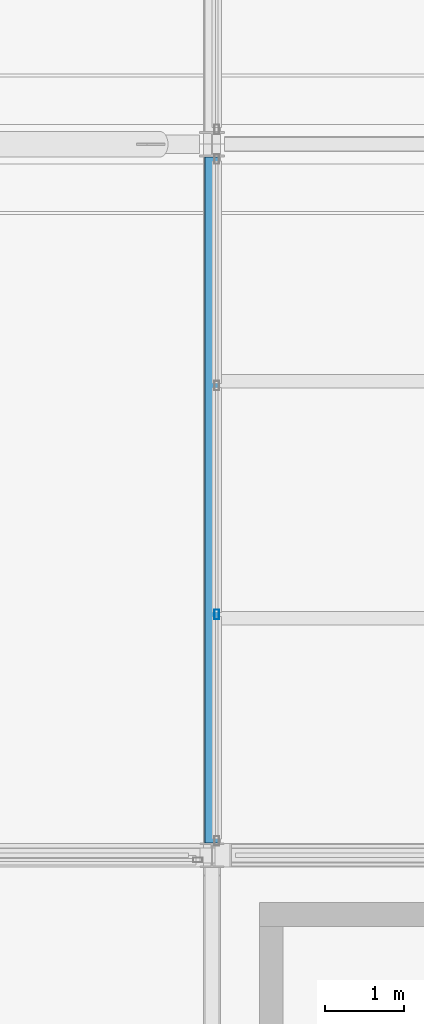
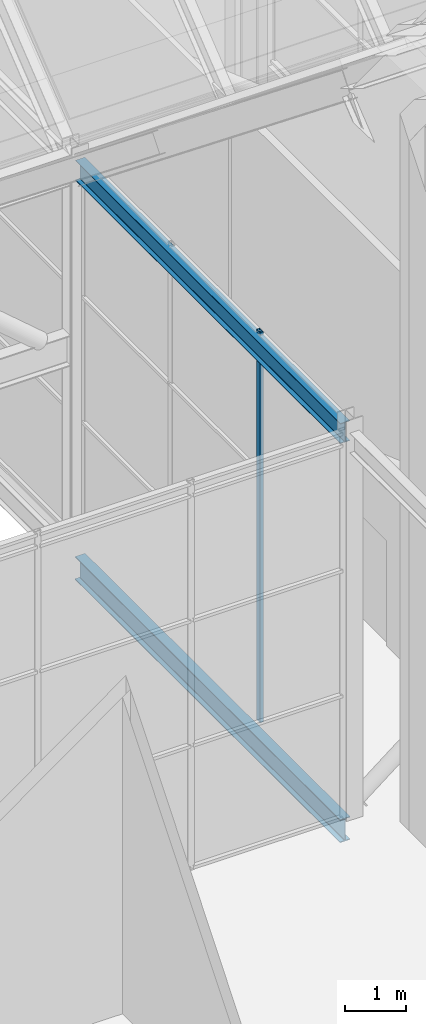
# One storey, part 65 of 144: 2 beams, 1 member, 1 element without a shape of its own.
"""IFC4 building model written with IfcOpenShell, lengths in metres."""

from ifc_helpers import new_model, si_unit, direction, frame, origin, origin_2d, place, context, subcontext, project, spatial, hollow_rectangle, i_section, extrude, material, layer, layer_set, material_profile, profile_set, type_object, element, aggregate, save


model = new_model("IFC4")

# Units and contexts
model_context = context("Model", 3, precision=1e-05, world=origin(), true_north=direction((0.0, 1.0)))
body_context = subcontext(model_context, "Body", "Model", "MODEL_VIEW")
ifc_project = project(units=[si_unit("LENGTHUNIT", "METRE"), si_unit("AREAUNIT", "SQUARE_METRE"), si_unit("VOLUMEUNIT", "CUBIC_METRE"), si_unit("PLANEANGLEUNIT", "RADIAN"), si_unit("MASSUNIT", "GRAM", prefix="KILO")], contexts=[model_context])

# Site, building, storey
site_placement = place(None, origin())
site = spatial("IfcSite", under=ifc_project, at=site_placement, CompositionType="ELEMENT")
building_placement = place(site_placement, origin())
building = spatial("IfcBuilding", under=site, at=building_placement, Name="Shorebreak Coast Museum", CompositionType="ELEMENT")
storey_placement = place(building_placement, frame((0.0, 0.0, 36.0)))
storey = spatial("IfcBuildingStorey", under=building, at=storey_placement, Name="L06", CompositionType="ELEMENT", Elevation=36.0)

# Beams
ifc_material_1 = material(Name="Steel Grade 300", Category="steel")
ifc_material_profile_1 = material_profile(ifc_material_1, i_section(OverallWidth=0.19091796875, OverallDepth=0.46044921875, WebThickness=0.010009765625, FlangeThickness=0.01611328125, FilletRadius=0.011474609375, at=origin_2d()), Name="460UB82.1")
ifc_profile_set_1 = profile_set([ifc_material_profile_1], Name="Steel Grade 300")
beam_type_1 = type_object("IfcBeamType", Name="Floor girder north-south 460UB82.1", PredefinedType="BEAM", material=ifc_profile_set_1)
beam_1_placement = place(storey_placement, frame((108.0, 63.1572265625, -0.4052734375), z_axis=(0.0, 1.0, 0.0), x_axis=(-1.0, 0.0, 0.0)))
element("IfcBeam", 1, at=beam_1_placement, inside=storey, type_object=beam_type_1, Name="Floor girder north-south L06 13H", PredefinedType="BEAM", context=body_context, shape_type="SweptSolid", body=[
    extrude(i_section(OverallWidth=0.19091796875, OverallDepth=0.46044921875, WebThickness=0.010009765625, FlangeThickness=0.01611328125, FilletRadius=0.011474609375, at=origin_2d()), origin(), (0.0, 0.0, 1.0), 8.67919921875),
])
ifc_material_2 = material(Name="Steel Grade 300", Category="steel")
ifc_material_profile_2 = material_profile(ifc_material_2, i_section(OverallWidth=0.177978515625, OverallDepth=0.402587890625, WebThickness=0.007568359375, FlangeThickness=0.010986328125, FilletRadius=0.011474609375, at=origin_2d()), Name="410UB53.7")
ifc_profile_set_2 = profile_set([ifc_material_profile_2], Name="Steel Grade 300")
beam_type_2 = type_object("IfcBeamType", Name="Fold rib tie 410UB53.7", PredefinedType="BEAM", material=ifc_profile_set_2)
beam_2_placement = place(storey_placement, frame((108.0, 63.1572265625, 7.54248046875), z_axis=(0.0, 1.0, 0.0), x_axis=(-1.0, 0.0, 0.0)))
element("IfcBeam", 2, at=beam_2_placement, inside=storey, type_object=beam_type_2, Name="Fold rib tie FOLD-X rib 13 H-J", PredefinedType="BEAM", context=body_context, shape_type="SweptSolid", body=[
    extrude(i_section(OverallWidth=0.177978515625, OverallDepth=0.402587890625, WebThickness=0.007568359375, FlangeThickness=0.010986328125, FilletRadius=0.011474609375, at=origin_2d()), origin(), (0.0, 0.0, 1.0), 8.67919921875),
])

# Curtain wall, member
ifc_material_3 = material(Name="Aluminium", Category="aluminium")
ifc_layer = layer(ifc_material_3, 0.1201171875)
ifc_layer_set = layer_set([ifc_layer], Name="Aluminium")
curtain_wall_type = type_object("IfcCurtainWallType", Name="Atrium fire screen", PredefinedType="NOTDEFINED", material=ifc_layer_set)
curtain_wall_placement = place(storey_placement, origin())
curtain_wall = element("IfcCurtainWall", 3, at=curtain_wall_placement, inside=storey, type_object=curtain_wall_type, Name="Atrium screen L06 E 91", PredefinedType="NOTDEFINED")
ifc_material_4 = material(Name="Aluminium", Category="aluminium")
ifc_material_profile_3 = material_profile(ifc_material_4, hollow_rectangle(XDim=0.06005859375, YDim=0.1201171875, WallThickness=0.00341796875, at=origin_2d()), Name="AL 120x60 RHS")
ifc_profile_set_3 = profile_set([ifc_material_profile_3], Name="Aluminium")
member_type = type_object("IfcMemberType", Name="Screen mullion 50 x 120", PredefinedType="MULLION", material=ifc_profile_set_3)
member_placement = place(storey_placement, frame((108.06005859375, 66.05029296875, 0.0), z_axis=(0.0, 0.0, 1.0), x_axis=(-1.0, 0.0, 0.0)))
member = element("IfcMember", 4, at=member_placement, type_object=member_type, Name="CW5 mullion 2", PredefinedType="MULLION", context=body_context, shape_type="SweptSolid", body=[
    extrude(hollow_rectangle(XDim=0.06005859375, YDim=0.1201171875, WallThickness=0.00341796875, at=origin_2d()), origin(), (0.0, 0.0, 1.0), 7.800048828125),
])
aggregate(curtain_wall, [member])

save(model, "model.ifc")
